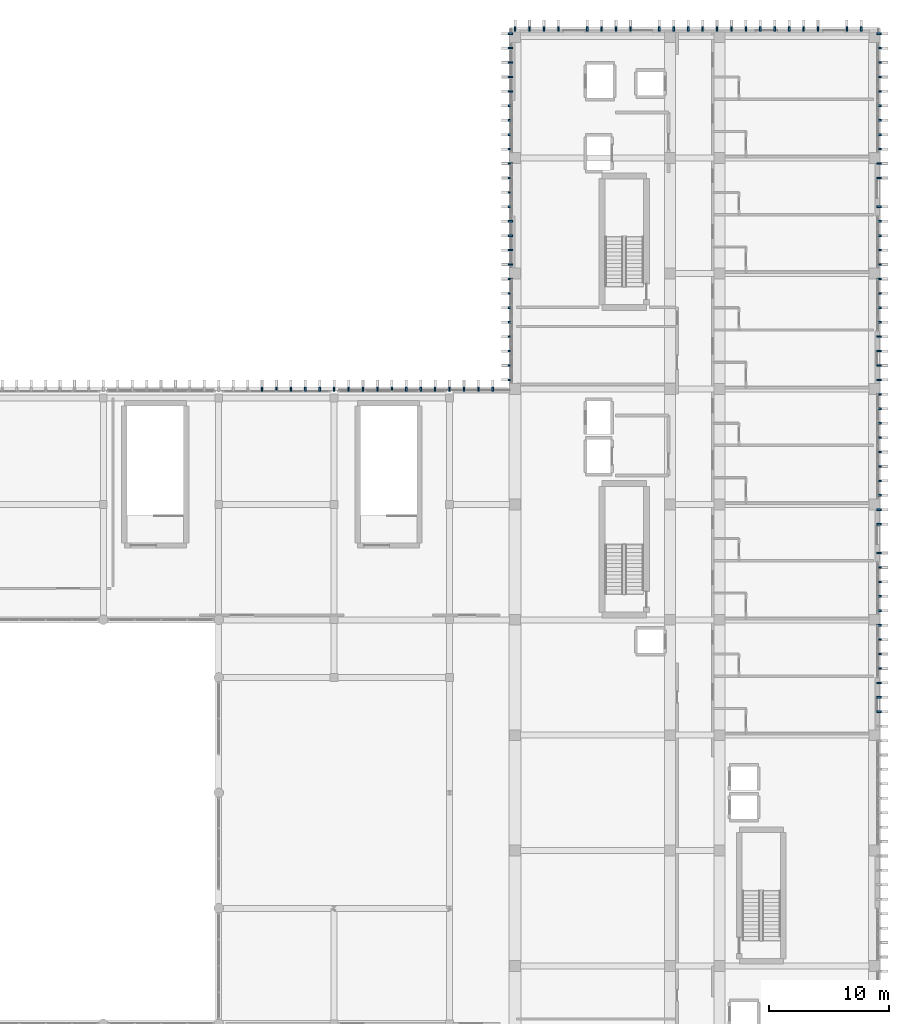
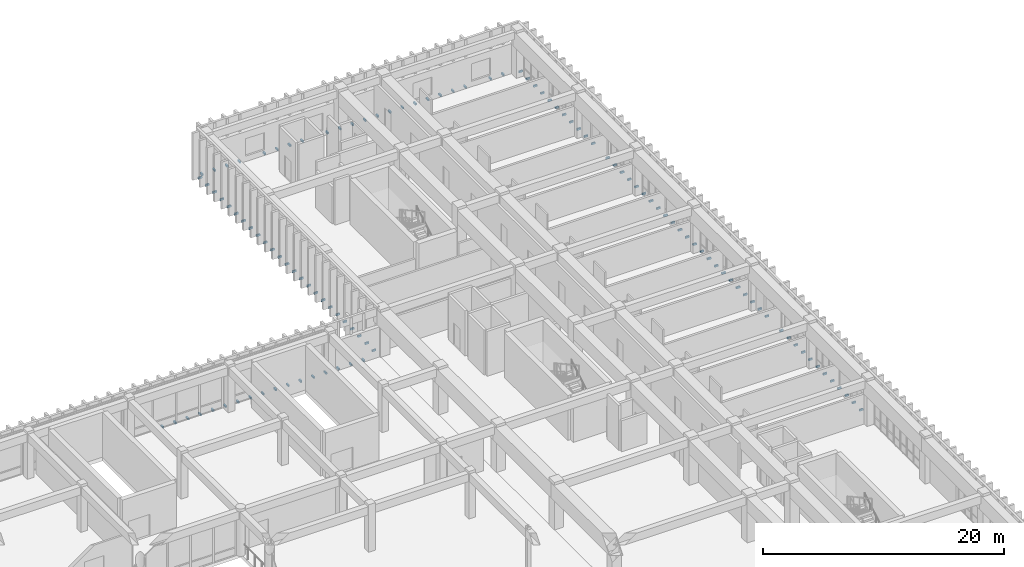
# One storey, part 88 of 101: 110 discrete accessories.
"""IFC4 building model written with IfcOpenShell, lengths in metres."""

from ifc_helpers import new_model, si_unit, direction, frame, origin, origin_2d, place, context, subcontext, project, spatial, rectangle, extrude, material, type_object, element, save


model = new_model("IFC4")

# Units and contexts
model_context = context("Model", 3, precision=1e-05, world=origin(), true_north=direction((0.0, 1.0)))
body_context = subcontext(model_context, "Body", "Model", "MODEL_VIEW")
ifc_project = project(units=[si_unit("LENGTHUNIT", "METRE"), si_unit("AREAUNIT", "SQUARE_METRE"), si_unit("VOLUMEUNIT", "CUBIC_METRE"), si_unit("PLANEANGLEUNIT", "RADIAN"), si_unit("MASSUNIT", "GRAM", prefix="KILO")], contexts=[model_context])

# Site, building, storey
site_placement = place(None, origin())
site = spatial("IfcSite", under=ifc_project, at=site_placement, CompositionType="ELEMENT")
building_placement = place(site_placement, origin())
building = spatial("IfcBuilding", under=site, at=building_placement, Name="Nakhvara Creek Congress Hotel", CompositionType="ELEMENT")
storey_placement = place(building_placement, frame((0.0, 0.0, 16.199951171875)))
storey = spatial("IfcBuildingStorey", under=building, at=storey_placement, Name="L03", CompositionType="ELEMENT", Elevation=16.199951171875)

# Discrete accessories
ifc_material = material(Name="Brushed stainless steel 316L", Category="steel")
discrete_accessory_type = type_object("IfcDiscreteAccessoryType", Name="ACC-BRK-SS316", PredefinedType="BRACKET", material=ifc_material)
for number, where, z_axis, x_axis, name in (
    (1, (128.39990234375, 95.97998046875, -0.10986328125), (0.0, 0.0, 1.0), (1.0, 0.0, 0.0), "Stainless Fin Bracket BK01-0381"),
    (2, (129.60009765625, 95.97998046875, -0.10986328125), (0.0, 0.0, 1.0), (1.0, 0.0, 0.0), "Stainless Fin Bracket BK01-0382"),
    (3, (130.800048828125, 95.97998046875, -0.10986328125), (0.0, 0.0, 1.0), (1.0, 0.0, 0.0), "Stainless Fin Bracket BK01-0383"),
    (4, (132.0, 95.97998046875, -0.10986328125), (0.0, 0.0, 1.0), (1.0, 0.0, 0.0), "Stainless Fin Bracket BK01-0384"),
    (5, (133.199951171875, 95.97998046875, -0.10986328125), (0.0, 0.0, 1.0), (1.0, 0.0, 0.0), "Stainless Fin Bracket BK01-0385"),
    (6, (134.39990234375, 95.97998046875, -0.10986328125), (0.0, 0.0, 1.0), (1.0, 0.0, 0.0), "Stainless Fin Bracket BK01-0386"),
    (7, (135.60009765625, 95.97998046875, -0.10986328125), (0.0, 0.0, 1.0), (1.0, 0.0, 0.0), "Stainless Fin Bracket BK01-0387"),
    (8, (136.800048828125, 95.97998046875, -0.10986328125), (0.0, 0.0, 1.0), (1.0, 0.0, 0.0), "Stainless Fin Bracket BK01-0388"),
    (9, (138.0, 95.97998046875, -0.10986328125), (0.0, 0.0, 1.0), (1.0, 0.0, 0.0), "Stainless Fin Bracket BK01-0389"),
    (10, (139.199951171875, 95.97998046875, -0.10986328125), (0.0, 0.0, 1.0), (1.0, 0.0, 0.0), "Stainless Fin Bracket BK01-0390"),
    (11, (140.39990234375, 95.97998046875, -0.10986328125), (0.0, 0.0, 1.0), (1.0, 0.0, 0.0), "Stainless Fin Bracket BK01-0391"),
    (12, (141.60009765625, 95.97998046875, -0.10986328125), (0.0, 0.0, 1.0), (1.0, 0.0, 0.0), "Stainless Fin Bracket BK01-0392"),
    (13, (142.800048828125, 95.97998046875, -0.10986328125), (0.0, 0.0, 1.0), (1.0, 0.0, 0.0), "Stainless Fin Bracket BK01-0393"),
    (14, (144.0, 95.97998046875, -0.10986328125), (0.0, 0.0, 1.0), (1.0, 0.0, 0.0), "Stainless Fin Bracket BK01-0394"),
    (15, (145.199951171875, 95.97998046875, -0.10986328125), (0.0, 0.0, 1.0), (1.0, 0.0, 0.0), "Stainless Fin Bracket BK01-0395"),
    (16, (146.39990234375, 95.97998046875, -0.10986328125), (0.0, 0.0, 1.0), (1.0, 0.0, 0.0), "Stainless Fin Bracket BK01-0396"),
    (17, (147.60009765625, 95.97998046875, -0.10986328125), (0.0, 0.0, 1.0), (1.0, 0.0, 0.0), "Stainless Fin Bracket BK01-0397"),
    (18, (179.72998046875, 69.14990234375, -0.10986328125), (0.0, 0.0, 1.0), (0.0, 1.0, 0.0), "Stainless Fin Bracket BK01-0949"),
    (19, (179.72998046875, 70.35009765625, -0.10986328125), (0.0, 0.0, 1.0), (0.0, 1.0, 0.0), "Stainless Fin Bracket BK01-0950"),
    (20, (179.72998046875, 71.550048828125, -0.10986328125), (0.0, 0.0, 1.0), (0.0, 1.0, 0.0), "Stainless Fin Bracket BK01-0951"),
    (21, (179.72998046875, 72.75, -0.10986328125), (0.0, 0.0, 1.0), (0.0, 1.0, 0.0), "Stainless Fin Bracket BK01-0952"),
    (22, (179.72998046875, 73.949951171875, -0.10986328125), (0.0, 0.0, 1.0), (0.0, 1.0, 0.0), "Stainless Fin Bracket BK01-0953"),
    (23, (179.72998046875, 75.14990234375, -0.10986328125), (0.0, 0.0, 1.0), (0.0, 1.0, 0.0), "Stainless Fin Bracket BK01-0954"),
    (24, (179.72998046875, 76.35009765625, -0.10986328125), (0.0, 0.0, 1.0), (0.0, 1.0, 0.0), "Stainless Fin Bracket BK01-0955"),
    (25, (179.72998046875, 77.550048828125, -0.10986328125), (0.0, 0.0, 1.0), (0.0, 1.0, 0.0), "Stainless Fin Bracket BK01-0956"),
    (26, (179.72998046875, 78.75, -0.10986328125), (0.0, 0.0, 1.0), (0.0, 1.0, 0.0), "Stainless Fin Bracket BK01-0957"),
    (27, (179.72998046875, 79.949951171875, -0.10986328125), (0.0, 0.0, 1.0), (0.0, 1.0, 0.0), "Stainless Fin Bracket BK01-0958"),
    (28, (179.72998046875, 81.14990234375, -0.10986328125), (0.0, 0.0, 1.0), (0.0, 1.0, 0.0), "Stainless Fin Bracket BK01-0959"),
    (29, (179.72998046875, 82.35009765625, -0.10986328125), (0.0, 0.0, 1.0), (0.0, 1.0, 0.0), "Stainless Fin Bracket BK01-0960"),
    (30, (179.72998046875, 84.75, -0.10986328125), (0.0, 0.0, 1.0), (0.0, 1.0, 0.0), "Stainless Fin Bracket BK01-0961"),
    (31, (179.72998046875, 85.949951171875, -0.10986328125), (0.0, 0.0, 1.0), (0.0, 1.0, 0.0), "Stainless Fin Bracket BK01-0962"),
    (32, (179.72998046875, 87.14990234375, -0.10986328125), (0.0, 0.0, 1.0), (0.0, 1.0, 0.0), "Stainless Fin Bracket BK01-0963"),
    (33, (179.72998046875, 88.35009765625, -0.10986328125), (0.0, 0.0, 1.0), (0.0, 1.0, 0.0), "Stainless Fin Bracket BK01-0964"),
    (34, (179.72998046875, 89.550048828125, -0.10986328125), (0.0, 0.0, 1.0), (0.0, 1.0, 0.0), "Stainless Fin Bracket BK01-0965"),
    (35, (179.72998046875, 90.75, -0.10986328125), (0.0, 0.0, 1.0), (0.0, 1.0, 0.0), "Stainless Fin Bracket BK01-0966"),
    (36, (179.72998046875, 91.949951171875, -0.10986328125), (0.0, 0.0, 1.0), (0.0, 1.0, 0.0), "Stainless Fin Bracket BK01-0967"),
    (37, (179.72998046875, 93.14990234375, -0.10986328125), (0.0, 0.0, 1.0), (0.0, 1.0, 0.0), "Stainless Fin Bracket BK01-0968"),
    (38, (179.72998046875, 94.35009765625, -0.10986328125), (0.0, 0.0, 1.0), (0.0, 1.0, 0.0), "Stainless Fin Bracket BK01-0969"),
    (39, (179.72998046875, 95.550048828125, -0.10986328125), (0.0, 0.0, 1.0), (0.0, 1.0, 0.0), "Stainless Fin Bracket BK01-0970"),
    (40, (179.72998046875, 96.75, -0.10986328125), (0.0, 0.0, 1.0), (0.0, 1.0, 0.0), "Stainless Fin Bracket BK01-0971"),
    (41, (149.070068359375, 96.75, -0.10986328125), (0.0, 0.0, 1.0), (0.0, 1.0, 0.0), "Stainless Fin Bracket BK01-0972"),
    (42, (179.72998046875, 97.949951171875, -0.10986328125), (0.0, 0.0, 1.0), (0.0, 1.0, 0.0), "Stainless Fin Bracket BK01-0973"),
    (43, (149.070068359375, 97.949951171875, -0.10986328125), (0.0, 0.0, 1.0), (0.0, 1.0, 0.0), "Stainless Fin Bracket BK01-0974"),
    (44, (179.72998046875, 99.14990234375, -0.10986328125), (0.0, 0.0, 1.0), (0.0, 1.0, 0.0), "Stainless Fin Bracket BK01-0975"),
    (45, (149.070068359375, 99.14990234375, -0.10986328125), (0.0, 0.0, 1.0), (0.0, 1.0, 0.0), "Stainless Fin Bracket BK01-0976"),
    (46, (179.72998046875, 100.35009765625, -0.10986328125), (0.0, 0.0, 1.0), (0.0, 1.0, 0.0), "Stainless Fin Bracket BK01-0977"),
    (47, (149.070068359375, 100.35009765625, -0.10986328125), (0.0, 0.0, 1.0), (0.0, 1.0, 0.0), "Stainless Fin Bracket BK01-0978"),
    (48, (179.72998046875, 101.550048828125, -0.10986328125), (0.0, 0.0, 1.0), (0.0, 1.0, 0.0), "Stainless Fin Bracket BK01-0979"),
    (49, (149.070068359375, 101.550048828125, -0.10986328125), (0.0, 0.0, 1.0), (0.0, 1.0, 0.0), "Stainless Fin Bracket BK01-0980"),
    (50, (179.72998046875, 102.75, -0.10986328125), (0.0, 0.0, 1.0), (0.0, 1.0, 0.0), "Stainless Fin Bracket BK01-0981"),
    (51, (149.070068359375, 102.75, -0.10986328125), (0.0, 0.0, 1.0), (0.0, 1.0, 0.0), "Stainless Fin Bracket BK01-0982"),
    (52, (179.72998046875, 103.949951171875, -0.10986328125), (0.0, 0.0, 1.0), (0.0, 1.0, 0.0), "Stainless Fin Bracket BK01-0983"),
    (53, (149.070068359375, 103.949951171875, -0.10986328125), (0.0, 0.0, 1.0), (0.0, 1.0, 0.0), "Stainless Fin Bracket BK01-0984"),
    (54, (179.72998046875, 105.14990234375, -0.10986328125), (0.0, 0.0, 1.0), (0.0, 1.0, 0.0), "Stainless Fin Bracket BK01-0985"),
    (55, (149.070068359375, 105.14990234375, -0.10986328125), (0.0, 0.0, 1.0), (0.0, 1.0, 0.0), "Stainless Fin Bracket BK01-0986"),
    (56, (179.72998046875, 106.35009765625, -0.10986328125), (0.0, 0.0, 1.0), (0.0, 1.0, 0.0), "Stainless Fin Bracket BK01-0987"),
    (57, (149.070068359375, 106.35009765625, -0.10986328125), (0.0, 0.0, 1.0), (0.0, 1.0, 0.0), "Stainless Fin Bracket BK01-0988"),
    (58, (179.72998046875, 107.550048828125, -0.10986328125), (0.0, 0.0, 1.0), (0.0, 1.0, 0.0), "Stainless Fin Bracket BK01-0989"),
    (59, (149.070068359375, 107.550048828125, -0.10986328125), (0.0, 0.0, 1.0), (0.0, 1.0, 0.0), "Stainless Fin Bracket BK01-0990"),
    (60, (179.72998046875, 108.75, -0.10986328125), (0.0, 0.0, 1.0), (0.0, 1.0, 0.0), "Stainless Fin Bracket BK01-0991"),
    (61, (149.070068359375, 108.75, -0.10986328125), (0.0, 0.0, 1.0), (0.0, 1.0, 0.0), "Stainless Fin Bracket BK01-0992"),
    (62, (179.72998046875, 109.949951171875, -0.10986328125), (0.0, 0.0, 1.0), (0.0, 1.0, 0.0), "Stainless Fin Bracket BK01-0993"),
    (63, (149.070068359375, 109.949951171875, -0.10986328125), (0.0, 0.0, 1.0), (0.0, 1.0, 0.0), "Stainless Fin Bracket BK01-0994"),
    (64, (179.72998046875, 111.14990234375, -0.10986328125), (0.0, 0.0, 1.0), (0.0, 1.0, 0.0), "Stainless Fin Bracket BK01-0995"),
    (65, (149.070068359375, 111.14990234375, -0.10986328125), (0.0, 0.0, 1.0), (0.0, 1.0, 0.0), "Stainless Fin Bracket BK01-0996"),
    (66, (149.070068359375, 112.35009765625, -0.10986328125), (0.0, 0.0, 1.0), (0.0, 1.0, 0.0), "Stainless Fin Bracket BK01-0997"),
    (67, (179.72998046875, 113.550048828125, -0.10986328125), (0.0, 0.0, 1.0), (0.0, 1.0, 0.0), "Stainless Fin Bracket BK01-0998"),
    (68, (149.070068359375, 113.550048828125, -0.10986328125), (0.0, 0.0, 1.0), (0.0, 1.0, 0.0), "Stainless Fin Bracket BK01-0999"),
    (69, (179.72998046875, 114.75, -0.10986328125), (0.0, 0.0, 1.0), (0.0, 1.0, 0.0), "Stainless Fin Bracket BK01-1000"),
    (70, (149.070068359375, 114.75, -0.10986328125), (0.0, 0.0, 1.0), (0.0, 1.0, 0.0), "Stainless Fin Bracket BK01-1001"),
    (71, (179.72998046875, 115.949951171875, -0.10986328125), (0.0, 0.0, 1.0), (0.0, 1.0, 0.0), "Stainless Fin Bracket BK01-1002"),
    (72, (149.070068359375, 115.949951171875, -0.10986328125), (0.0, 0.0, 1.0), (0.0, 1.0, 0.0), "Stainless Fin Bracket BK01-1003"),
    (73, (179.72998046875, 117.14990234375, -0.10986328125), (0.0, 0.0, 1.0), (0.0, 1.0, 0.0), "Stainless Fin Bracket BK01-1004"),
    (74, (149.070068359375, 117.14990234375, -0.10986328125), (0.0, 0.0, 1.0), (0.0, 1.0, 0.0), "Stainless Fin Bracket BK01-1005"),
    (75, (179.72998046875, 118.35009765625, -0.10986328125), (0.0, 0.0, 1.0), (0.0, 1.0, 0.0), "Stainless Fin Bracket BK01-1006"),
    (76, (149.070068359375, 118.35009765625, -0.10986328125), (0.0, 0.0, 1.0), (0.0, 1.0, 0.0), "Stainless Fin Bracket BK01-1007"),
    (77, (179.72998046875, 119.550048828125, -0.10986328125), (0.0, 0.0, 1.0), (0.0, 1.0, 0.0), "Stainless Fin Bracket BK01-1008"),
    (78, (149.070068359375, 119.550048828125, -0.10986328125), (0.0, 0.0, 1.0), (0.0, 1.0, 0.0), "Stainless Fin Bracket BK01-1009"),
    (79, (179.72998046875, 120.75, -0.10986328125), (0.0, 0.0, 1.0), (0.0, 1.0, 0.0), "Stainless Fin Bracket BK01-1010"),
    (80, (149.070068359375, 120.75, -0.10986328125), (0.0, 0.0, 1.0), (0.0, 1.0, 0.0), "Stainless Fin Bracket BK01-1011"),
    (81, (179.72998046875, 121.949951171875, -0.10986328125), (0.0, 0.0, 1.0), (0.0, 1.0, 0.0), "Stainless Fin Bracket BK01-1012"),
    (82, (149.070068359375, 121.949951171875, -0.10986328125), (0.0, 0.0, 1.0), (0.0, 1.0, 0.0), "Stainless Fin Bracket BK01-1013"),
    (83, (179.72998046875, 123.14990234375, -0.10986328125), (0.0, 0.0, 1.0), (0.0, 1.0, 0.0), "Stainless Fin Bracket BK01-1014"),
    (84, (149.070068359375, 123.14990234375, -0.10986328125), (0.0, 0.0, 1.0), (0.0, 1.0, 0.0), "Stainless Fin Bracket BK01-1015"),
    (85, (179.72998046875, 124.35009765625, -0.10986328125), (0.0, 0.0, 1.0), (0.0, 1.0, 0.0), "Stainless Fin Bracket BK01-1016"),
    (86, (149.070068359375, 124.35009765625, -0.10986328125), (0.0, 0.0, 1.0), (0.0, 1.0, 0.0), "Stainless Fin Bracket BK01-1017"),
    (87, (179.72998046875, 125.550048828125, -0.10986328125), (0.0, 0.0, 1.0), (0.0, 1.0, 0.0), "Stainless Fin Bracket BK01-1018"),
    (88, (149.070068359375, 125.550048828125, -0.10986328125), (0.0, 0.0, 1.0), (0.0, 1.0, 0.0), "Stainless Fin Bracket BK01-1019"),
    (89, (149.449951171875, 125.93994140625, -0.10986328125), (0.0, 0.0, 1.0), (1.0, 0.0, 0.0), "Stainless Fin Bracket BK01-1020"),
    (90, (150.64990234375, 125.93994140625, -0.10986328125), (0.0, 0.0, 1.0), (1.0, 0.0, 0.0), "Stainless Fin Bracket BK01-1022"),
    (91, (151.85009765625, 125.93994140625, -0.10986328125), (0.0, 0.0, 1.0), (1.0, 0.0, 0.0), "Stainless Fin Bracket BK01-1024"),
    (92, (153.050048828125, 125.93994140625, -0.10986328125), (0.0, 0.0, 1.0), (1.0, 0.0, 0.0), "Stainless Fin Bracket BK01-1026"),
    (93, (155.449951171875, 125.93994140625, -0.10986328125), (0.0, 0.0, 1.0), (1.0, 0.0, 0.0), "Stainless Fin Bracket BK01-1029"),
    (94, (156.64990234375, 125.93994140625, -0.10986328125), (0.0, 0.0, 1.0), (1.0, 0.0, 0.0), "Stainless Fin Bracket BK01-1031"),
    (95, (157.85009765625, 125.93994140625, -0.10986328125), (0.0, 0.0, 1.0), (1.0, 0.0, 0.0), "Stainless Fin Bracket BK01-1033"),
    (96, (159.050048828125, 125.93994140625, -0.10986328125), (0.0, 0.0, 1.0), (1.0, 0.0, 0.0), "Stainless Fin Bracket BK01-1035"),
    (97, (161.449951171875, 125.93994140625, -0.10986328125), (0.0, 0.0, 1.0), (1.0, 0.0, 0.0), "Stainless Fin Bracket BK01-1038"),
    (98, (162.64990234375, 125.93994140625, -0.10986328125), (0.0, 0.0, 1.0), (1.0, 0.0, 0.0), "Stainless Fin Bracket BK01-1040"),
    (99, (163.85009765625, 125.93994140625, -0.10986328125), (0.0, 0.0, 1.0), (1.0, 0.0, 0.0), "Stainless Fin Bracket BK01-1042"),
    (100, (165.050048828125, 125.93994140625, -0.10986328125), (0.0, 0.0, 1.0), (1.0, 0.0, 0.0), "Stainless Fin Bracket BK01-1044"),
    (101, (166.25, 125.93994140625, -0.10986328125), (0.0, 0.0, 1.0), (1.0, 0.0, 0.0), "Stainless Fin Bracket BK01-1046"),
    (102, (167.449951171875, 125.93994140625, -0.10986328125), (0.0, 0.0, 1.0), (1.0, 0.0, 0.0), "Stainless Fin Bracket BK01-1048"),
    (103, (168.64990234375, 125.93994140625, -0.10986328125), (0.0, 0.0, 1.0), (1.0, 0.0, 0.0), "Stainless Fin Bracket BK01-1050"),
    (104, (169.85009765625, 125.93994140625, -0.10986328125), (0.0, 0.0, 1.0), (1.0, 0.0, 0.0), "Stainless Fin Bracket BK01-1051"),
    (105, (171.050048828125, 125.93994140625, -0.10986328125), (0.0, 0.0, 1.0), (1.0, 0.0, 0.0), "Stainless Fin Bracket BK01-1053"),
    (106, (172.25, 125.93994140625, -0.10986328125), (0.0, 0.0, 1.0), (1.0, 0.0, 0.0), "Stainless Fin Bracket BK01-1055"),
    (107, (173.449951171875, 125.93994140625, -0.10986328125), (0.0, 0.0, 1.0), (1.0, 0.0, 0.0), "Stainless Fin Bracket BK01-1057"),
    (108, (174.64990234375, 125.93994140625, -0.10986328125), (0.0, 0.0, 1.0), (1.0, 0.0, 0.0), "Stainless Fin Bracket BK01-1059"),
    (109, (177.050048828125, 125.93994140625, -0.10986328125), (0.0, 0.0, 1.0), (1.0, 0.0, 0.0), "Stainless Fin Bracket BK01-1062"),
    (110, (178.25, 125.93994140625, -0.10986328125), (0.0, 0.0, 1.0), (1.0, 0.0, 0.0), "Stainless Fin Bracket BK01-1064"),
):
    element("IfcDiscreteAccessory", number, at=place(storey_placement, frame(where, z_axis=z_axis, x_axis=x_axis)), inside=storey, type_object=discrete_accessory_type, Name=name, PredefinedType="BRACKET", context=body_context, shape_type="SweptSolid", body=[
        extrude(rectangle(XDim=0.139892578125, YDim=0.360107421875, at=origin_2d()), origin(), (0.0, 0.0, 1.0), 0.179931640625),
    ])

save(model, "model.ifc")
